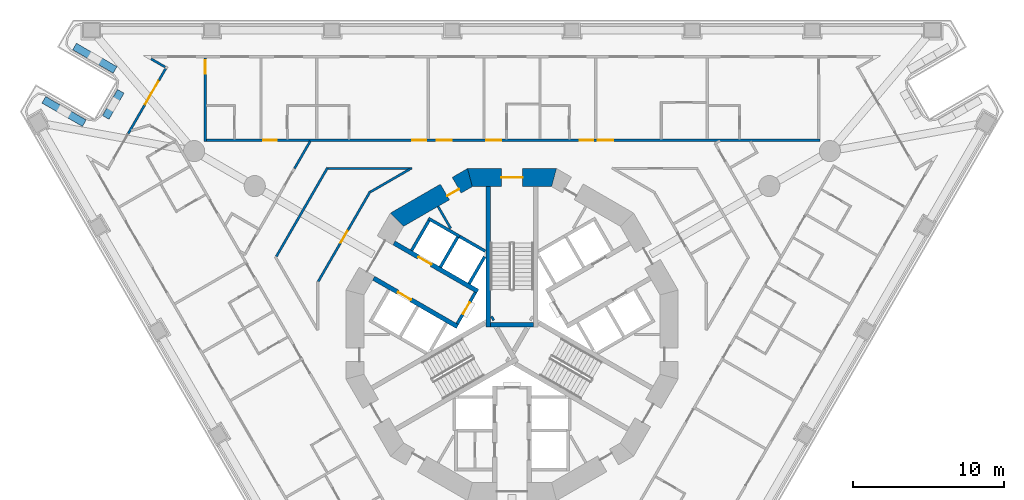
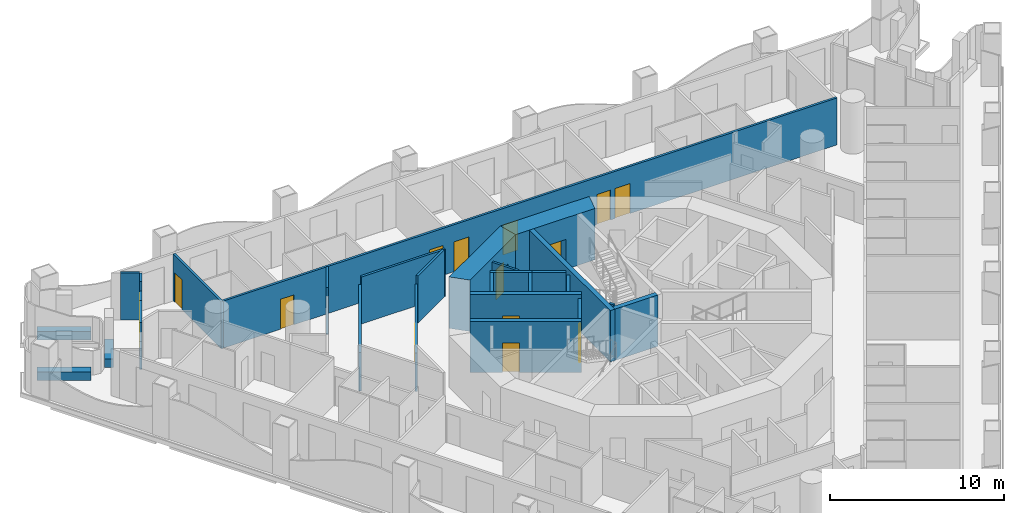
# One storey, part 7 of 20: 28 walls, 14 doors, 14 openings.
"""IFC4 building model written with IfcOpenShell, lengths in metres."""

from ifc_helpers import new_model, si_unit, direction, frame, frame_2d, origin, place, context, subcontext, project, spatial, polyline, rectangle, outline, extrude, material, layer, layer_set, type_object, element, fill, save


model = new_model("IFC4")

# Units and contexts
model_context = context("Model", 3, precision=1e-05, world=origin(), true_north=direction((0.0, 1.0)))
body_context = subcontext(model_context, "Body", "Model", "MODEL_VIEW")
ifc_project = project(units=[si_unit("LENGTHUNIT", "METRE"), si_unit("AREAUNIT", "SQUARE_METRE"), si_unit("VOLUMEUNIT", "CUBIC_METRE"), si_unit("PLANEANGLEUNIT", "RADIAN"), si_unit("MASSUNIT", "GRAM", prefix="KILO")], contexts=[model_context])

# Site, building, storey
site_placement = place(None, origin())
site = spatial("IfcSite", under=ifc_project, at=site_placement, CompositionType="ELEMENT")
building_placement = place(site_placement, origin())
building = spatial("IfcBuilding", under=site, at=building_placement, Name="Trine Commons Tower", CompositionType="ELEMENT")
storey_placement = place(building_placement, frame((0.0, 0.0, 35.10009765625)))
storey = spatial("IfcBuildingStorey", under=building, at=storey_placement, Name="L07", CompositionType="ELEMENT", Elevation=35.10009765625)

# Walls
ifc_material_1 = material(Name="Plasterboard partition on steel studs", Category="steel")
ifc_layer_1 = layer(ifc_material_1, 0.14990234375)
ifc_layer_set_1 = layer_set([ifc_layer_1], Name="Plasterboard partition on steel studs")
wall_type_1 = type_object("IfcWallType", Name="Core room partition 150 mm, EI 60", PredefinedType="PARTITIONING", material=ifc_layer_set_1)
wall_1_placement = place(storey_placement, frame((75.094970703125, 70.9970703125, 0.0), z_axis=(0.0, 0.0, 1.0), x_axis=(0.500115728942, -0.865958577338, 0.0)))
element("IfcWall", 1, at=wall_1_placement, inside=storey, type_object=wall_type_1, Name="Core room partition L07", PredefinedType="PARTITIONING", context=body_context, shape_type="SweptSolid", body=[
    extrude(rectangle(XDim=1.68359375, YDim=0.14990234375, at=frame_2d((0.841796875, 0.0))), origin(), (0.0, 0.0, 1.0), 3.2998046875),
])
ifc_material_2 = material(Name="Aluminium-framed insulated wall panel", Category="aluminium")
ifc_layer_2 = layer(ifc_material_2, 0.14990234375)
ifc_layer_set_2 = layer_set([ifc_layer_2], Name="Aluminium-framed insulated wall panel")
wall_type_2 = type_object("IfcWallType", Name="Glazed frame wall 150, EI 60", PredefinedType="SOLIDWALL", material=ifc_layer_set_2)
wall_2_placement = place(storey_placement, frame((54.54150390625, 75.81298828125, 0.0), z_axis=(0.0, 0.0, 1.0), x_axis=(0.499994660107, 0.866028486751, 0.0)))
element("IfcWall", 2, at=wall_2_placement, inside=storey, type_object=wall_type_2, Name="Glazed frame wall P1.3", PredefinedType="SOLIDWALL", context=body_context, shape_type="SweptSolid", body=[
    extrude(outline(polyline([(0.0, -0.074951171875), (2.199951171875, -0.074951171875), (2.199951171875, 0.074951171875), (0.0, 0.074951171875), (0.0, -0.074951171875)])), origin(), (0.0, 0.0, 1.0), 3.2998046875),
])

# Wall, opening, door
wall_3_placement = place(storey_placement, frame((55.641357421875, 77.718017578125, 0.0), z_axis=(0.0, 0.0, 1.0), x_axis=(0.499967155389, 0.866044365799, 0.0)))
wall_3 = element("IfcWall", 3, at=wall_3_placement, inside=storey, type_object=wall_type_2, Name="Glazed frame wall P1.4", PredefinedType="SOLIDWALL", context=body_context, shape_type="SweptSolid", body=[
    extrude(outline(polyline([(0.0, -0.074951171875), (1.89990234375, -0.074951171875), (1.89990234375, 0.074951171875), (0.0, 0.074951171875), (0.0, -0.074951171875)])), origin(), (0.0, 0.0, 1.0), 2.64990234375),
])
opening_1_placement = place(wall_3_placement, frame((0.050048828125, 0.0, 0.0)))
opening_1 = element("IfcOpeningElement", 4, at=opening_1_placement, cuts=wall_3, Name="Opening BD-1P1-02", PredefinedType="OPENING", context=body_context, shape_type="SweptSolid", body=[
    extrude(rectangle(XDim=1.800048828125, YDim=2.60009765625, at=frame_2d((0.89990234375, 1.300048828125))), frame((0.0, 0.0849609375, 0.0), z_axis=(0.0, -1.0, 0.0), x_axis=(1.0, 0.0, 0.0)), (0.0, 0.0, 1.0), 0.169921875),
])
ifc_material_3 = material(Name="Anodised aluminium frame with double glazing", Category="aluminium")
door_type_1 = type_object("IfcDoorType", Name="Sliding loggia door 1800x2600", OperationType="SLIDING_TO_LEFT", PredefinedType="DOOR", material=ifc_material_3)
door_1_placement = place(opening_1_placement, origin())
door_1 = element("IfcDoor", 5, at=door_1_placement, inside=storey, type_object=door_type_1, Name="Loggia door P1 2", OperationType="SLIDING_TO_LEFT", OverallHeight=2.60009765625, OverallWidth=1.800048828125, PredefinedType="DOOR", context=body_context, shape_type="SweptSolid", body=[
    extrude(rectangle(XDim=1.800048828125, YDim=2.60009765625, at=frame_2d((0.89990234375, 1.300048828125))), frame((0.0, 0.02490234375, 0.0), z_axis=(0.0, -1.0, 0.0), x_axis=(1.0, 0.0, 0.0)), (0.0, 0.0, 1.0), 0.050048828125),
])
fill(opening_1, door_1)

# Walls
wall_4_placement = place(storey_placement, frame((56.59130859375, 79.363525390625, 0.0), z_axis=(0.0, 0.0, 1.0), x_axis=(0.50002537861, 0.866010750942, 0.0)))
element("IfcWall", 6, at=wall_4_placement, inside=storey, type_object=wall_type_2, Name="Glazed frame wall P1.5", PredefinedType="SOLIDWALL", context=body_context, shape_type="SweptSolid", body=[
    extrude(outline(polyline([(0.889892578125, 0.074951171875), (0.0, 0.074951171875), (0.0, -0.074951171875), (0.889892578125, -0.074951171875), (0.889892578125, 0.074951171875)])), origin(), (0.0, 0.0, 1.0), 3.2998046875),
])
wall_5_placement = place(storey_placement, frame((57.104248046875, 80.181884765625, 0.0), z_axis=(0.0, 0.0, 1.0), x_axis=(-0.86606770004, 0.49992673358, 0.0)))
element("IfcWall", 7, at=wall_5_placement, inside=storey, type_object=wall_type_2, Name="Glazed frame wall R3", PredefinedType="SOLIDWALL", context=body_context, shape_type="SweptSolid", body=[
    extrude(outline(polyline([(0.110107421875, 0.074951171875), (0.110107421875, -0.074951171875), (1.19580078125, -0.074951171875), (1.19580078125, 0.074951171875), (0.110107421875, 0.074951171875)])), origin(), (0.0, 0.0, 1.0), 3.2998046875),
])

# Wall, opening, door
ifc_material_4 = material(Name="Fire-rated gypsum shaft wall system")
ifc_layer_3 = layer(ifc_material_4, 0.199951171875)
ifc_layer_set_3 = layer_set([ifc_layer_3], Name="Fire-rated gypsum shaft wall system")
wall_type_3 = type_object("IfcWallType", Name="Lobby end wall 200 mm, EI 120", PredefinedType="PARTITIONING", material=ifc_layer_set_3)
wall_6_placement = place(storey_placement, frame((77.569091796875, 65.2890625, 0.0), z_axis=(0.0, 0.0, 1.0), x_axis=(-0.50012165622, -0.865955154139, 0.0)))
wall_6 = element("IfcWall", 8, at=wall_6_placement, inside=storey, type_object=wall_type_3, Name="Lobby end wall L07", PredefinedType="PARTITIONING", context=body_context, shape_type="SweptSolid", body=[
    extrude(rectangle(XDim=2.39990234375, YDim=0.199951171875, at=frame_2d((1.199951171875, 0.0))), origin(), (0.0, 0.0, 1.0), 3.2998046875),
])
opening_2_placement = place(wall_6_placement, frame((0.749755859375, 0.0, 0.0)))
opening_2 = element("IfcOpeningElement", 9, at=opening_2_placement, cuts=wall_6, Name="Opening K06.07", PredefinedType="OPENING", context=body_context, shape_type="SweptSolid", body=[
    extrude(rectangle(XDim=0.89990234375, YDim=2.10009765625, at=frame_2d((0.449951171875, 1.050048828125))), frame((0.0, 0.10986328125, 0.0), z_axis=(0.0, -1.0, 0.0), x_axis=(1.0, 0.0, 0.0)), (0.0, 0.0, 1.0), 0.219970703125),
])
ifc_material_5 = material(Name="Steel door leaf, fire-rated", Category="steel")
door_type_2 = type_object("IfcDoorType", Name="Riser access door, single leaf 900 x 2100, FD60", OperationType="SINGLE_SWING_LEFT", PredefinedType="DOOR", material=ifc_material_5)
door_2_placement = place(opening_2_placement, frame((0.89990234375, 0.0, 0.0), z_axis=(0.0, 0.0, 1.0), x_axis=(-1.0, 0.0, 0.0)))
door_2 = element("IfcDoor", 10, at=door_2_placement, inside=storey, type_object=door_type_2, Name="Riser door, Mechanical riser L07", OperationType="SINGLE_SWING_RIGHT", OverallHeight=2.10009765625, OverallWidth=0.89990234375, PredefinedType="DOOR", context=body_context, shape_type="SweptSolid", body=[
    extrude(rectangle(XDim=0.89990234375, YDim=2.10009765625, at=frame_2d((0.449951171875, 1.050048828125))), frame((0.0, 0.02490234375, 0.0), z_axis=(0.0, -1.0, 0.0), x_axis=(1.0, 0.0, 0.0)), (0.0, 0.0, 1.0), 0.050048828125),
])
fill(opening_2, door_2)

# Walls
ifc_material_6 = material(Name="Planter trough, precast concrete C40/50", Category="concrete")
ifc_layer_4 = layer(ifc_material_6, 0.5)
ifc_layer_set_4 = layer_set([ifc_layer_4], Name="Planter trough, precast concrete C40/50")
wall_type_4 = type_object("IfcWallType", Name="Planter trough 500x600", PredefinedType="PARAPET", material=ifc_layer_set_4)
wall_7_placement = place(storey_placement, frame((48.95556640625, 78.068115234375, 0.0), z_axis=(0.0, 0.0, 1.0), x_axis=(0.86602952684, -0.49999285859, 0.0)))
element("IfcWall", 11, at=wall_7_placement, inside=storey, type_object=wall_type_4, Name="Planter 1", PredefinedType="PARAPET", context=body_context, shape_type="SweptSolid", body=[
    extrude(rectangle(XDim=3.10009765625, YDim=0.5, at=frame_2d((1.550048828125, 0.0))), origin(), (0.0, 0.0, 1.0), 0.599853515625),
])
wall_8_placement = place(storey_placement, frame((53.060791015625, 76.898681640625, 0.0), z_axis=(0.0, 0.0, 1.0), x_axis=(0.50002537861, 0.866010750942, 0.0)))
element("IfcWall", 12, at=wall_8_placement, inside=storey, type_object=wall_type_4, Name="Planter 2", PredefinedType="PARAPET", context=body_context, shape_type="SweptSolid", body=[
    extrude(rectangle(XDim=2.0, YDim=0.5, at=frame_2d((1.0, 0.0))), origin(), (0.0, 0.0, 1.0), 0.599853515625),
])
wall_9_placement = place(storey_placement, frame((53.680419921875, 80.05126953125, 0.0), z_axis=(0.0, 0.0, 1.0), x_axis=(-0.86602952684, 0.49999285859, 0.0)))
element("IfcWall", 13, at=wall_9_placement, inside=storey, type_object=wall_type_4, Name="Planter 3", PredefinedType="PARAPET", context=body_context, shape_type="SweptSolid", body=[
    extrude(rectangle(XDim=3.10009765625, YDim=0.5, at=frame_2d((1.550048828125, 0.0))), origin(), (0.0, 0.0, 1.0), 0.599853515625),
])

# Wall, opening, door
ifc_material_7 = material(Name="Concrete C80/95", Category="concrete")
ifc_layer_5 = layer(ifc_material_7, 1.199951171875)
ifc_layer_set_5 = layer_set([ifc_layer_5], Name="Concrete C80/95")
wall_type_5 = type_object("IfcWallType", Name="RC shear wall 1200 mm, C80/95", PredefinedType="SHEAR", material=ifc_layer_set_5)
wall_10_placement = place(storey_placement, frame((82.950439453125, 72.91162109375, 0.0), z_axis=(0.0, 0.0, 1.0), x_axis=(-1.0, 0.0, 0.0)))
wall_10 = element("IfcWall", 14, at=wall_10_placement, inside=storey, type_object=wall_type_5, Name="Core wall CWA-04 L07", PredefinedType="SHEAR", context=body_context, shape_type="SweptSolid", body=[
    extrude(outline(polyline([(0.0, -0.60009765625), (5.90087890625, -0.60009765625), (5.57958984375, 0.60009765625), (0.321533203125, 0.60009765625), (0.0, -0.60009765625)])), origin(), (0.0, 0.0, 1.0), 3.599853515625),
])
opening_3_placement = place(wall_10_placement, frame((2.25048828125, 0.0, 0.0)))
opening_3 = element("IfcOpeningElement", 15, at=opening_3_placement, cuts=wall_10, Name="Opening K06.01", PredefinedType="OPENING", context=body_context, shape_type="SweptSolid", body=[
    extrude(rectangle(XDim=1.39990234375, YDim=2.10009765625, at=frame_2d((0.699951171875, 1.050048828125))), frame((0.0, 0.60986328125, 0.0), z_axis=(0.0, -1.0, 0.0), x_axis=(1.0, 0.0, 0.0)), (0.0, 0.0, 1.0), 1.219970703125),
])
ifc_material_8 = material(Name="Steel door leaves, fire-rated", Category="steel")
door_type_3 = type_object("IfcDoorType", Name="Stair door, double leaf 1400 x 2100, FD90", OperationType="DOUBLE_DOOR_SINGLE_SWING", PredefinedType="DOOR", material=ifc_material_8)
door_3_placement = place(opening_3_placement, origin())
door_3 = element("IfcDoor", 16, at=door_3_placement, inside=storey, type_object=door_type_3, Name="Stair door to Exit stair ST1A L07", OperationType="DOUBLE_DOOR_SINGLE_SWING", OverallHeight=2.10009765625, OverallWidth=1.39990234375, PredefinedType="DOOR", context=body_context, shape_type="SweptSolid", body=[
    extrude(rectangle(XDim=1.39990234375, YDim=2.10009765625, at=frame_2d((0.699951171875, 1.050048828125))), frame((0.0, 0.02490234375, 0.0), z_axis=(0.0, -1.0, 0.0), x_axis=(1.0, 0.0, 0.0)), (0.0, 0.0, 1.0), 0.050048828125),
])
fill(opening_3, door_3)

wall_11_placement = place(storey_placement, frame((77.349609375, 72.991943359375, 0.0), z_axis=(0.0, 0.0, 1.0), x_axis=(-0.866037463336, -0.499979111662, 0.0)))
wall_11 = element("IfcWall", 17, at=wall_11_placement, inside=storey, type_object=wall_type_5, Name="Core wall CWA-05 L07", PredefinedType="SHEAR", context=body_context, shape_type="SweptSolid", body=[
    extrude(outline(polyline([(0.0, -0.60009765625), (5.901123046875, -0.60009765625), (5.57958984375, 0.60009765625), (0.321533203125, 0.60009765625), (0.0, -0.60009765625)])), origin(), (0.0, 0.0, 1.0), 3.599853515625),
])
opening_4_placement = place(wall_11_placement, frame((1.1748046875, 0.0, 0.0)))
opening_4 = element("IfcOpeningElement", 18, at=opening_4_placement, cuts=wall_11, Name="Opening K06.13", PredefinedType="OPENING", context=body_context, shape_type="SweptSolid", body=[
    extrude(rectangle(XDim=0.89990234375, YDim=2.10009765625, at=frame_2d((0.449951171875, 1.050048828125))), frame((0.0, 0.60986328125, 0.0), z_axis=(0.0, -1.0, 0.0), x_axis=(1.0, 0.0, 0.0)), (0.0, 0.0, 1.0), 1.219970703125),
])
door_type_4 = type_object("IfcDoorType", Name="Core room door, single leaf 900 x 2100, FD30S", OperationType="SINGLE_SWING_LEFT", PredefinedType="DOOR", material=ifc_material_5)
door_4_placement = place(opening_4_placement, origin())
door_4 = element("IfcDoor", 19, at=door_4_placement, inside=storey, type_object=door_type_4, Name="Door to Linen store L07", OperationType="SINGLE_SWING_LEFT", OverallHeight=2.10009765625, OverallWidth=0.89990234375, PredefinedType="DOOR", context=body_context, shape_type="SweptSolid", body=[
    extrude(rectangle(XDim=0.89990234375, YDim=2.10009765625, at=frame_2d((0.449951171875, 1.050048828125))), frame((0.0, 0.3251953125, 0.0), z_axis=(0.0, -1.0, 0.0), x_axis=(1.0, 0.0, 0.0)), (0.0, 0.0, 1.0), 0.050048828125),
])
fill(opening_4, door_4)

ifc_layer_6 = layer(ifc_material_7, 0.300048828125)
ifc_layer_set_6 = layer_set([ifc_layer_6], Name="Concrete C80/95")
wall_type_6 = type_object("IfcWallType", Name="RC shear wall 300 mm, C80/95", PredefinedType="SHEAR", material=ifc_layer_set_6)
wall_12_placement = place(storey_placement, frame((76.381103515625, 63.031005859375, 0.0), z_axis=(0.0, 0.0, 1.0), x_axis=(-0.866032150378, 0.499988314375, 0.0)))
wall_12 = element("IfcWall", 20, at=wall_12_placement, inside=storey, type_object=wall_type_6, Name="Core cross wall SWA-01 L07", PredefinedType="SHEAR", context=body_context, shape_type="SweptSolid", body=[
    extrude(rectangle(XDim=6.412353515625, YDim=0.300048828125, at=frame_2d((3.2060546875, 0.0))), origin(), (0.0, 0.0, 1.0), 3.599853515625),
])
opening_5_placement = place(wall_12_placement, frame((3.55029296875, 0.0, 0.0)))
opening_5 = element("IfcOpeningElement", 21, at=opening_5_placement, cuts=wall_12, Name="Opening LD3", PredefinedType="OPENING", context=body_context, shape_type="SweptSolid", body=[
    extrude(rectangle(XDim=1.0, YDim=2.10009765625, at=frame_2d((0.5, 1.050048828125))), frame((0.0, 0.159912109375, 0.0), z_axis=(0.0, -1.0, 0.0), x_axis=(1.0, 0.0, 0.0)), (0.0, 0.0, 1.0), 0.320068359375),
])
ifc_material_9 = material(Name="Stainless steel sliding door leaves", Category="steel")
door_type_5 = type_object("IfcDoorType", Name="Lift landing door, centre-opening sliding 1000 x 2100, FD90", OperationType="DOUBLE_DOOR_SLIDING", PredefinedType="DOOR", material=ifc_material_9)
door_5_placement = place(opening_5_placement, origin())
door_5 = element("IfcDoor", 22, at=door_5_placement, inside=storey, type_object=door_type_5, Name="Lift landing door LR3 L07", OperationType="DOUBLE_DOOR_SLIDING", OverallHeight=2.10009765625, OverallWidth=1.0, PredefinedType="DOOR", context=body_context, shape_type="SweptSolid", body=[
    extrude(rectangle(XDim=1.0, YDim=2.10009765625, at=frame_2d((0.5, 1.050048828125))), frame((0.0, 0.02490234375, 0.0), z_axis=(0.0, -1.0, 0.0), x_axis=(1.0, 0.0, 0.0)), (0.0, 0.0, 1.0), 0.050048828125),
])
fill(opening_5, door_5)

wall_13_placement = place(storey_placement, frame((77.73095703125, 65.368896484375, 0.0), z_axis=(0.0, 0.0, 1.0), x_axis=(-0.866022631842, 0.500004801114, 0.0)))
wall_13 = element("IfcWall", 23, at=wall_13_placement, inside=storey, type_object=wall_type_6, Name="Core cross wall SWA-02 L07", PredefinedType="SHEAR", context=body_context, shape_type="SweptSolid", body=[
    extrude(rectangle(XDim=6.412109375, YDim=0.300048828125, at=frame_2d((3.2060546875, 0.0))), origin(), (0.0, 0.0, 1.0), 3.599853515625),
])
opening_6_placement = place(wall_13_placement, frame((3.55029296875, 0.0, 0.0)))
opening_6 = element("IfcOpeningElement", 24, at=opening_6_placement, cuts=wall_13, Name="Opening LD4", PredefinedType="OPENING", context=body_context, shape_type="SweptSolid", body=[
    extrude(rectangle(XDim=1.0, YDim=2.10009765625, at=frame_2d((0.5, 1.050048828125))), frame((0.0, 0.159912109375, 0.0), z_axis=(0.0, -1.0, 0.0), x_axis=(1.0, 0.0, 0.0)), (0.0, 0.0, 1.0), 0.320068359375),
])
door_6_placement = place(opening_6_placement, origin())
door_6 = element("IfcDoor", 25, at=door_6_placement, inside=storey, type_object=door_type_5, Name="Lift landing door LR4 L07", OperationType="DOUBLE_DOOR_SLIDING", OverallHeight=2.10009765625, OverallWidth=1.0, PredefinedType="DOOR", context=body_context, shape_type="SweptSolid", body=[
    extrude(rectangle(XDim=1.0, YDim=2.10009765625, at=frame_2d((0.5, 1.050048828125))), frame((0.0, 0.02490234375, 0.0), z_axis=(0.0, -1.0, 0.0), x_axis=(1.0, 0.0, 0.0)), (0.0, 0.0, 1.0), 0.050048828125),
])
fill(opening_6, door_6)

# Walls
wall_14_placement = place(storey_placement, frame((78.425048828125, 63.0009765625, 0.0), z_axis=(0.0, 0.0, 1.0), x_axis=(0.0, 1.0, 0.0)))
element("IfcWall", 26, at=wall_14_placement, inside=storey, type_object=wall_type_6, Name="Core cross wall SWA-08 L07", PredefinedType="SHEAR", context=body_context, shape_type="SweptSolid", body=[
    extrude(rectangle(XDim=9.31103515625, YDim=0.300048828125, at=frame_2d((4.655517578125, 0.0))), origin(), (0.0, 0.0, 1.0), 3.599853515625),
])
wall_15_placement = place(storey_placement, frame((78.779052734375, 63.614013671875, 0.0), z_axis=(0.0, 0.0, 1.0), x_axis=(-0.867737973955, -0.497021939713, 0.0)))
element("IfcWall", 27, at=wall_15_placement, inside=storey, type_object=wall_type_6, Name="Core cross wall SWA-09 L07", PredefinedType="SHEAR", context=body_context, shape_type="SweptSolid", body=[
    extrude(rectangle(XDim=0.14892578125, YDim=0.300048828125, at=frame_2d((0.074462890625, 0.0))), origin(), (0.0, 0.0, 1.0), 3.599853515625),
])
wall_16_placement = place(storey_placement, frame((81.425048828125, 63.15087890625, 0.0), z_axis=(0.0, 0.0, 1.0), x_axis=(-1.0, 0.0, 0.0)))
element("IfcWall", 28, at=wall_16_placement, inside=storey, type_object=wall_type_6, Name="Core cross wall SWA-16 L07", PredefinedType="SHEAR", context=body_context, shape_type="SweptSolid", body=[
    extrude(rectangle(XDim=2.85009765625, YDim=0.300048828125, at=frame_2d((1.425048828125, 0.0))), origin(), (0.0, 0.0, 1.0), 3.599853515625),
])
ifc_layer_7 = layer(ifc_material_4, 0.199951171875)
ifc_layer_set_7 = layer_set([ifc_layer_7], Name="Fire-rated gypsum shaft wall system")
wall_type_7 = type_object("IfcWallType", Name="Shaft wall 200 mm, EI 120", PredefinedType="PARTITIONING", material=ifc_layer_set_7)
wall_17_placement = place(storey_placement, frame((73.344970703125, 68.073974609375, 0.0), z_axis=(0.0, 0.0, 1.0), x_axis=(0.500215680983, 0.865900844496, 0.0)))
element("IfcWall", 29, at=wall_17_placement, inside=storey, type_object=wall_type_7, Name="Shaft wall L07", PredefinedType="PARTITIONING", context=body_context, shape_type="SweptSolid", body=[
    extrude(rectangle(XDim=2.29931640625, YDim=0.199951171875, at=frame_2d((1.149658203125, 0.0))), origin(), (0.0, 0.0, 1.0), 3.2998046875),
])
wall_18_placement = place(storey_placement, frame((75.2509765625, 66.97412109375, 0.0), z_axis=(0.0, 0.0, 1.0), x_axis=(0.500136062276, 0.86594683394, 0.0)))
element("IfcWall", 30, at=wall_18_placement, inside=storey, type_object=wall_type_7, Name="Shaft wall L07", PredefinedType="PARTITIONING", context=body_context, shape_type="SweptSolid", body=[
    extrude(rectangle(XDim=2.299072265625, YDim=0.199951171875, at=frame_2d((1.1494140625, 0.0))), origin(), (0.0, 0.0, 1.0), 3.2998046875),
])
wall_19_placement = place(storey_placement, frame((76.5380859375, 69.001953125, 0.0), z_axis=(0.0, 0.0, 1.0), x_axis=(-0.866202511239, 0.499693115345, 0.0)))
element("IfcWall", 31, at=wall_19_placement, inside=storey, type_object=wall_type_7, Name="Shaft wall L07", PredefinedType="PARTITIONING", context=body_context, shape_type="SweptSolid", body=[
    extrude(rectangle(XDim=2.4013671875, YDim=0.199951171875, at=frame_2d((1.20068359375, 0.0))), origin(), (0.0, 0.0, 1.0), 3.2998046875),
])
wall_20_placement = place(storey_placement, frame((77.156005859375, 65.8740234375, 0.0), z_axis=(0.0, 0.0, 1.0), x_axis=(0.499865770674, 0.866102887253, 0.0)))
element("IfcWall", 32, at=wall_20_placement, inside=storey, type_object=wall_type_7, Name="Shaft wall L07", PredefinedType="PARTITIONING", context=body_context, shape_type="SweptSolid", body=[
    extrude(rectangle(XDim=2.064453125, YDim=0.199951171875, at=frame_2d((1.0322265625, 0.0))), origin(), (0.0, 0.0, 1.0), 3.2998046875),
])
wall_21_placement = place(storey_placement, frame((78.22509765625, 68.028076171875, 0.0), z_axis=(0.0, 0.0, 1.0), x_axis=(-0.866052014814, 0.499953905513, 0.0)))
element("IfcWall", 33, at=wall_21_placement, inside=storey, type_object=wall_type_7, Name="Shaft wall L07", PredefinedType="PARTITIONING", context=body_context, shape_type="SweptSolid", body=[
    extrude(rectangle(XDim=1.947998046875, YDim=0.199951171875, at=frame_2d((0.97412109375, 0.0))), origin(), (0.0, 0.0, 1.0), 3.2998046875),
])

# Wall, opening, door
ifc_material_10 = material(Name="Gypsum plasterboard on steel stud", Category="steel")
ifc_layer_8 = layer(ifc_material_10, 0.14990234375)
ifc_layer_set_8 = layer_set([ifc_layer_8], Name="Gypsum plasterboard on steel stud")
wall_type_8 = type_object("IfcWallType", Name="Unit and corridor wall 150 mm, EI 60", PredefinedType="PARTITIONING", material=ifc_layer_set_8)
wall_22_placement = place(storey_placement, frame((59.656005859375, 75.31201171875, 0.0), z_axis=(0.0, 0.0, 1.0), x_axis=(0.0, 1.0, 0.0)))
wall_22 = element("IfcWall", 34, at=wall_22_placement, inside=storey, type_object=wall_type_8, Name="Partition 012", PredefinedType="PARTITIONING", context=body_context, shape_type="SweptSolid", body=[
    extrude(rectangle(XDim=5.532958984375, YDim=0.14990234375, at=frame_2d((2.7666015625, 0.0))), origin(), (0.0, 0.0, 1.0), 3.2998046875),
])
opening_7_placement = place(wall_22_placement, frame((4.48291015625, 0.0, 0.0)))
opening_7 = element("IfcOpeningElement", 35, at=opening_7_placement, cuts=wall_22, Name="Opening D-1A07", PredefinedType="OPENING", context=body_context, shape_type="SweptSolid", body=[
    extrude(rectangle(XDim=0.89990234375, YDim=2.10009765625, at=frame_2d((0.449951171875, 1.050048828125))), frame((0.0, 0.0849609375, 0.0), z_axis=(0.0, -1.0, 0.0), x_axis=(1.0, 0.0, 0.0)), (0.0, 0.0, 1.0), 0.169921875),
])
ifc_material_11 = material(Name="Timber fire door set", Category="wood")
door_type_6 = type_object("IfcDoorType", Name="Bedroom door 900 x 2100, FD30S", OperationType="NOTDEFINED", PredefinedType="DOOR", material=ifc_material_11)
door_7_placement = place(opening_7_placement, frame((0.89990234375, 0.0, 0.0), z_axis=(0.0, 0.0, 1.0), x_axis=(-1.0, 0.0, 0.0)))
door_7 = element("IfcDoor", 36, at=door_7_placement, inside=storey, type_object=door_type_6, Name="Door D-1A07", OperationType="SINGLE_SWING_LEFT", OverallHeight=2.10009765625, OverallWidth=0.89990234375, PredefinedType="DOOR", context=body_context, shape_type="SweptSolid", body=[
    extrude(rectangle(XDim=0.89990234375, YDim=2.10009765625, at=frame_2d((0.449951171875, 1.050048828125))), frame((0.0, 0.02490234375, 0.0), z_axis=(0.0, -1.0, 0.0), x_axis=(1.0, 0.0, 0.0)), (0.0, 0.0, 1.0), 0.050048828125),
])
fill(opening_7, door_7)

# Wall, openings, doors
wall_23_placement = place(storey_placement, frame((59.73095703125, 75.386962890625, 0.0), z_axis=(0.0, 0.0, 1.0), x_axis=(1.0, 0.0, 0.0)))
wall_23 = element("IfcWall", 37, at=wall_23_placement, inside=storey, type_object=wall_type_8, Name="Partition 013", PredefinedType="PARTITIONING", context=body_context, shape_type="SweptSolid", body=[
    extrude(rectangle(XDim=40.68798828125, YDim=0.14990234375, at=frame_2d((20.343994140625, 0.0))), origin(), (0.0, 0.0, 1.0), 3.2998046875),
])
opening_8_placement = place(wall_23_placement, frame((3.77392578125, 0.0, 0.0)))
opening_8 = element("IfcOpeningElement", 38, at=opening_8_placement, cuts=wall_23, Name="Opening D-1A08", PredefinedType="OPENING", context=body_context, shape_type="SweptSolid", body=[
    extrude(rectangle(XDim=0.89990234375, YDim=2.10009765625, at=frame_2d((0.449951171875, 1.050048828125))), frame((0.0, 0.0849609375, 0.0), z_axis=(0.0, -1.0, 0.0), x_axis=(1.0, 0.0, 0.0)), (0.0, 0.0, 1.0), 0.169921875),
])
opening_9_placement = place(wall_23_placement, frame((13.669921875, 0.0, 0.0)))
opening_9 = element("IfcOpeningElement", 39, at=opening_9_placement, cuts=wall_23, Name="Opening D-1A09", PredefinedType="OPENING", context=body_context, shape_type="SweptSolid", body=[
    extrude(rectangle(XDim=0.89990234375, YDim=2.10009765625, at=frame_2d((0.449951171875, 1.050048828125))), frame((0.0, 0.0849609375, 0.0), z_axis=(0.0, -1.0, 0.0), x_axis=(1.0, 0.0, 0.0)), (0.0, 0.0, 1.0), 0.169921875),
])
opening_10_placement = place(wall_23_placement, frame((15.27001953125, 0.0, 0.0)))
opening_10 = element("IfcOpeningElement", 40, at=opening_10_placement, cuts=wall_23, Name="Opening D-1A10", PredefinedType="OPENING", context=body_context, shape_type="SweptSolid", body=[
    extrude(rectangle(XDim=1.0, YDim=2.10009765625, at=frame_2d((0.5, 1.050048828125))), frame((0.0, 0.0849609375, 0.0), z_axis=(0.0, -1.0, 0.0), x_axis=(1.0, 0.0, 0.0)), (0.0, 0.0, 1.0), 0.169921875),
])
opening_11_placement = place(wall_23_placement, frame((18.569091796875, 0.0, 0.0)))
opening_11 = element("IfcOpeningElement", 41, at=opening_11_placement, cuts=wall_23, Name="Opening D-1A11", PredefinedType="OPENING", context=body_context, shape_type="SweptSolid", body=[
    extrude(rectangle(XDim=1.0, YDim=2.10009765625, at=frame_2d((0.5, 1.050048828125))), frame((0.0, 0.0849609375, 0.0), z_axis=(0.0, -1.0, 0.0), x_axis=(1.0, 0.0, 0.0)), (0.0, 0.0, 1.0), 0.169921875),
])
opening_12_placement = place(wall_23_placement, frame((24.76708984375, 0.0, 0.0)))
opening_12 = element("IfcOpeningElement", 42, at=opening_12_placement, cuts=wall_23, Name="Opening D-1A12", PredefinedType="OPENING", context=body_context, shape_type="SweptSolid", body=[
    extrude(rectangle(XDim=0.89990234375, YDim=2.10009765625, at=frame_2d((0.449951171875, 1.050048828125))), frame((0.0, 0.0849609375, 0.0), z_axis=(0.0, -1.0, 0.0), x_axis=(1.0, 0.0, 0.0)), (0.0, 0.0, 1.0), 0.169921875),
])
opening_13_placement = place(wall_23_placement, frame((25.967041015625, 0.0, 0.0)))
opening_13 = element("IfcOpeningElement", 43, at=opening_13_placement, cuts=wall_23, Name="Opening D-1A13", PredefinedType="OPENING", context=body_context, shape_type="SweptSolid", body=[
    extrude(rectangle(XDim=1.0, YDim=2.10009765625, at=frame_2d((0.5, 1.050048828125))), frame((0.0, 0.0849609375, 0.0), z_axis=(0.0, -1.0, 0.0), x_axis=(1.0, 0.0, 0.0)), (0.0, 0.0, 1.0), 0.169921875),
])
door_type_7 = type_object("IfcDoorType", Name="Bedroom door 1000 x 2100, FD30S", OperationType="NOTDEFINED", PredefinedType="DOOR", material=ifc_material_11)
door_8_placement = place(opening_11_placement, origin())
door_8 = element("IfcDoor", 44, at=door_8_placement, inside=storey, type_object=door_type_7, Name="Door D-1A11", OperationType="SINGLE_SWING_LEFT", OverallHeight=2.10009765625, OverallWidth=1.0, PredefinedType="DOOR", context=body_context, shape_type="SweptSolid", body=[
    extrude(rectangle(XDim=1.0, YDim=2.10009765625, at=frame_2d((0.5, 1.050048828125))), frame((0.0, 0.02490234375, 0.0), z_axis=(0.0, -1.0, 0.0), x_axis=(1.0, 0.0, 0.0)), (0.0, 0.0, 1.0), 0.050048828125),
])
fill(opening_11, door_8)
door_9_placement = place(opening_13_placement, origin())
door_9 = element("IfcDoor", 45, at=door_9_placement, inside=storey, type_object=door_type_7, Name="Door D-1A13", OperationType="SINGLE_SWING_RIGHT", OverallHeight=2.10009765625, OverallWidth=1.0, PredefinedType="DOOR", context=body_context, shape_type="SweptSolid", body=[
    extrude(rectangle(XDim=1.0, YDim=2.10009765625, at=frame_2d((0.5, 1.050048828125))), frame((0.0, 0.02490234375, 0.0), z_axis=(0.0, -1.0, 0.0), x_axis=(1.0, 0.0, 0.0)), (0.0, 0.0, 1.0), 0.050048828125),
])
fill(opening_13, door_9)
door_10_placement = place(opening_8_placement, origin())
door_10 = element("IfcDoor", 46, at=door_10_placement, inside=storey, type_object=door_type_6, Name="Door D-1A08", OperationType="SINGLE_SWING_LEFT", OverallHeight=2.10009765625, OverallWidth=0.89990234375, PredefinedType="DOOR", context=body_context, shape_type="SweptSolid", body=[
    extrude(rectangle(XDim=0.89990234375, YDim=2.10009765625, at=frame_2d((0.449951171875, 1.050048828125))), frame((0.0, 0.02490234375, 0.0), z_axis=(0.0, -1.0, 0.0), x_axis=(1.0, 0.0, 0.0)), (0.0, 0.0, 1.0), 0.050048828125),
])
fill(opening_8, door_10)
door_11_placement = place(opening_9_placement, origin())
door_11 = element("IfcDoor", 47, at=door_11_placement, inside=storey, type_object=door_type_6, Name="Door D-1A09", OperationType="SINGLE_SWING_LEFT", OverallHeight=2.10009765625, OverallWidth=0.89990234375, PredefinedType="DOOR", context=body_context, shape_type="SweptSolid", body=[
    extrude(rectangle(XDim=0.89990234375, YDim=2.10009765625, at=frame_2d((0.449951171875, 1.050048828125))), frame((0.0, 0.02490234375, 0.0), z_axis=(0.0, -1.0, 0.0), x_axis=(1.0, 0.0, 0.0)), (0.0, 0.0, 1.0), 0.050048828125),
])
fill(opening_9, door_11)
door_12_placement = place(opening_12_placement, origin())
door_12 = element("IfcDoor", 48, at=door_12_placement, inside=storey, type_object=door_type_6, Name="Door D-1A12", OperationType="SINGLE_SWING_RIGHT", OverallHeight=2.10009765625, OverallWidth=0.89990234375, PredefinedType="DOOR", context=body_context, shape_type="SweptSolid", body=[
    extrude(rectangle(XDim=0.89990234375, YDim=2.10009765625, at=frame_2d((0.449951171875, 1.050048828125))), frame((0.0, 0.02490234375, 0.0), z_axis=(0.0, -1.0, 0.0), x_axis=(1.0, 0.0, 0.0)), (0.0, 0.0, 1.0), 0.050048828125),
])
fill(opening_12, door_12)
ifc_material_12 = material(Name="Painted timber", Category="wood")
door_type_8 = type_object("IfcDoorType", Name="Toilet door 1000 x 2100, NOT RATED", OperationType="NOTDEFINED", PredefinedType="DOOR", material=ifc_material_12)
door_13_placement = place(opening_10_placement, origin())
door_13 = element("IfcDoor", 49, at=door_13_placement, inside=storey, type_object=door_type_8, Name="Door D-1A10", OperationType="SINGLE_SWING_LEFT", OverallHeight=2.10009765625, OverallWidth=1.0, PredefinedType="DOOR", context=body_context, shape_type="SweptSolid", body=[
    extrude(rectangle(XDim=1.0, YDim=2.10009765625, at=frame_2d((0.5, 1.050048828125))), frame((0.0, 0.02490234375, 0.0), z_axis=(0.0, -1.0, 0.0), x_axis=(1.0, 0.0, 0.0)), (0.0, 0.0, 1.0), 0.050048828125),
])
fill(opening_10, door_13)

# Walls
wall_24_placement = place(storey_placement, frame((64.37158203125, 67.676025390625, 0.0), z_axis=(0.0, 0.0, 1.0), x_axis=(0.500011931275, 0.86601851515, 0.0)))
element("IfcWall", 50, at=wall_24_placement, inside=storey, type_object=wall_type_8, Name="Partition 030", PredefinedType="PARTITIONING", context=body_context, shape_type="SweptSolid", body=[
    extrude(rectangle(XDim=6.813720703125, YDim=0.14990234375, at=frame_2d((3.40673828125, 0.0))), origin(), (0.0, 0.0, 1.0), 2.699951171875),
])
wall_25_placement = place(storey_placement, frame((65.575927734375, 73.510009765625, 0.0), z_axis=(0.0, 0.0, 1.0), x_axis=(0.499816741327, 0.866131182379, 0.0)))
element("IfcWall", 51, at=wall_25_placement, inside=storey, type_object=wall_type_8, Name="Partition 034", PredefinedType="PARTITIONING", context=body_context, shape_type="SweptSolid", body=[
    extrude(rectangle(XDim=2.092041015625, YDim=0.14990234375, at=frame_2d((1.0458984375, 0.0))), origin(), (0.0, 0.0, 1.0), 3.2998046875),
])

# Wall, opening, door
wall_26_placement = place(storey_placement, frame((67.150390625, 66.01806640625, 0.0), z_axis=(0.0, 0.0, 1.0), x_axis=(0.50000193825, 0.866024284732, 0.0)))
wall_26 = element("IfcWall", 52, at=wall_26_placement, inside=storey, type_object=wall_type_8, Name="Partition 039", PredefinedType="PARTITIONING", context=body_context, shape_type="SweptSolid", body=[
    extrude(rectangle(XDim=6.90625, YDim=0.14990234375, at=frame_2d((3.453125, 0.0))), origin(), (0.0, 0.0, 1.0), 2.699951171875),
])
opening_14_placement = place(wall_26_placement, frame((2.965576171875, 0.0, 0.0)))
opening_14 = element("IfcOpeningElement", 53, at=opening_14_placement, cuts=wall_26, Name="Opening D-1A34", PredefinedType="OPENING", context=body_context, shape_type="SweptSolid", body=[
    extrude(rectangle(XDim=0.89990234375, YDim=2.10009765625, at=frame_2d((0.449951171875, 1.050048828125))), frame((0.0, 0.0849609375, 0.0), z_axis=(0.0, -1.0, 0.0), x_axis=(1.0, 0.0, 0.0)), (0.0, 0.0, 1.0), 0.169921875),
])
door_type_9 = type_object("IfcDoorType", Name="Service door 900 x 2100, FD30S", OperationType="NOTDEFINED", PredefinedType="DOOR", material=ifc_material_11)
door_14_placement = place(opening_14_placement, origin())
door_14 = element("IfcDoor", 54, at=door_14_placement, inside=storey, type_object=door_type_9, Name="Door D-1A34", OperationType="SINGLE_SWING_LEFT", OverallHeight=2.10009765625, OverallWidth=0.89990234375, PredefinedType="DOOR", context=body_context, shape_type="SweptSolid", body=[
    extrude(rectangle(XDim=0.89990234375, YDim=2.10009765625, at=frame_2d((0.449951171875, 1.050048828125))), frame((0.0, 0.02490234375, 0.0), z_axis=(0.0, -1.0, 0.0), x_axis=(1.0, 0.0, 0.0)), (0.0, 0.0, 1.0), 0.050048828125),
])
fill(opening_14, door_14)

# Walls
wall_27_placement = place(storey_placement, frame((67.81591796875, 73.511962890625, 0.0), z_axis=(0.0, 0.0, 1.0), x_axis=(1.0, 0.0, 0.0)))
element("IfcWall", 55, at=wall_27_placement, inside=storey, type_object=wall_type_8, Name="Partition 041", PredefinedType="PARTITIONING", context=body_context, shape_type="SweptSolid", body=[
    extrude(rectangle(XDim=5.55810546875, YDim=0.14990234375, at=frame_2d((2.779052734375, 0.0))), origin(), (0.0, 0.0, 1.0), 3.2998046875),
])
wall_28_placement = place(storey_placement, frame((70.630859375, 71.971435546875, 0.0), z_axis=(0.0, 0.0, 1.0), x_axis=(0.865962665808, 0.500108649621, 0.0)))
element("IfcWall", 56, at=wall_28_placement, inside=storey, type_object=wall_type_8, Name="Partition 047", PredefinedType="PARTITIONING", context=body_context, shape_type="SweptSolid", body=[
    extrude(rectangle(XDim=3.009521484375, YDim=0.14990234375, at=frame_2d((1.5048828125, 0.0))), origin(), (0.0, 0.0, 1.0), 3.2998046875),
])

save(model, "model.ifc")
